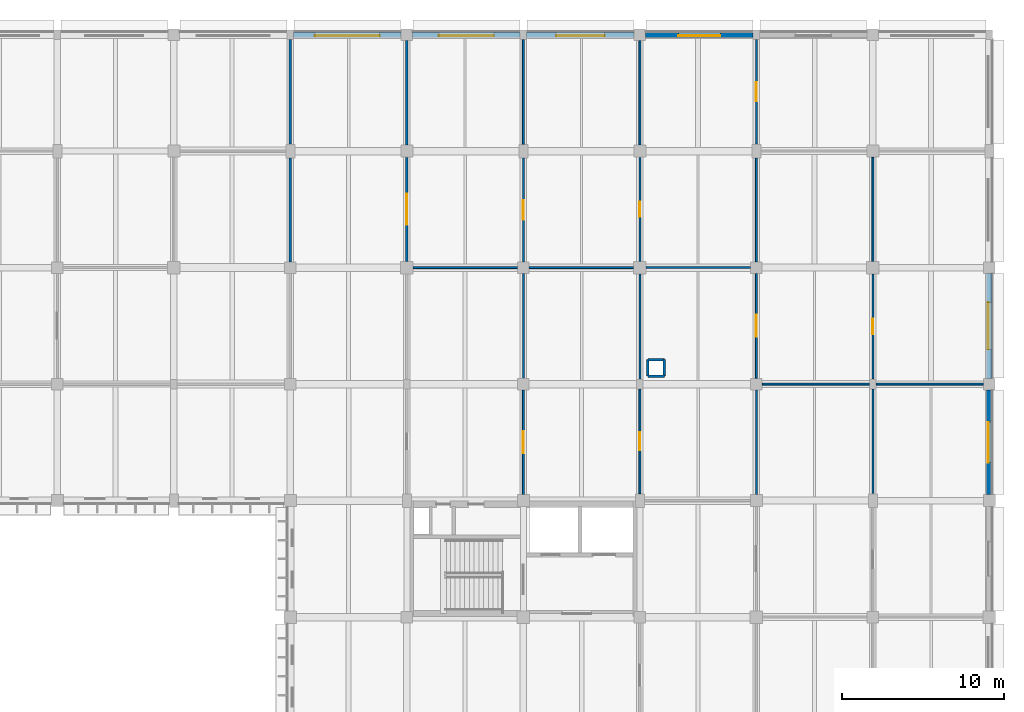
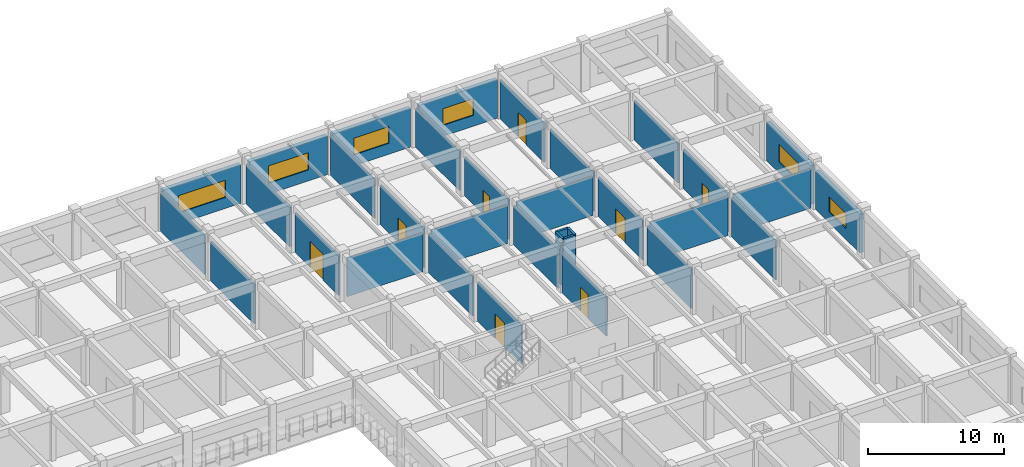
# One storey, part 52 of 61: 34 walls, 8 doors, 6 windows, 14 openings.
"""IFC4 building model written with IfcOpenShell, lengths in metres."""

from ifc_helpers import new_model, si_unit, direction, frame, frame_2d, origin, place, context, subcontext, project, spatial, rectangle, extrude, material, layer, layer_set, type_object, element, fill, save


model = new_model("IFC4")

# Units and contexts
model_context = context("Model", 3, precision=1e-05, world=origin(), true_north=direction((0.0, 1.0)))
body_context = subcontext(model_context, "Body", "Model", "MODEL_VIEW")
ifc_project = project(units=[si_unit("LENGTHUNIT", "METRE"), si_unit("AREAUNIT", "SQUARE_METRE"), si_unit("VOLUMEUNIT", "CUBIC_METRE"), si_unit("PLANEANGLEUNIT", "RADIAN"), si_unit("MASSUNIT", "GRAM", prefix="KILO")], contexts=[model_context])

# Site, building, storey
site_placement = place(None, origin())
site = spatial("IfcSite", under=ifc_project, at=site_placement, CompositionType="ELEMENT")
building_placement = place(site_placement, origin())
building = spatial("IfcBuilding", under=site, at=building_placement, Name="Thalmaran Polytechnic", CompositionType="ELEMENT")
storey_placement = place(building_placement, frame((0.0, 0.0, 9.89990234375)))
storey = spatial("IfcBuildingStorey", under=building, at=storey_placement, Name="L02", CompositionType="ELEMENT", Elevation=9.89990234375)

# Wall, opening, window
ifc_material_1 = material(Name="Precast concrete C40/50", Category="concrete")
ifc_layer_1 = layer(ifc_material_1, 0.330078125, Name="Precast concrete C40/50")
ifc_layer_set_1 = layer_set([ifc_layer_1], Name="Precast concrete C40/50")
wall_type_1 = type_object("IfcWallType", Name="WL-EW02", PredefinedType="STANDARD", material=ifc_layer_set_1)
wall_1_placement = place(storey_placement, frame((129.800048828125, 122.39990234375, 0.0), z_axis=(0.0, 0.0, 1.0), x_axis=(1.0, 0.0, 0.0)))
wall_1 = element("IfcWall", 1, at=wall_1_placement, inside=storey, type_object=wall_type_1, Name="Exterior Precast Facade Wall L02-046", PredefinedType="STANDARD", context=body_context, shape_type="SweptSolid", body=[
    extrude(rectangle(XDim=6.639892578125, YDim=0.330078125, at=frame_2d((3.31982421875, 0.0))), origin(), (0.0, 0.0, 1.0), 3.47021484375),
])
opening_1_placement = place(wall_1_placement, frame((1.320068359375, 0.0, 0.97998046875)))
opening_1 = element("IfcOpeningElement", 2, at=opening_1_placement, cuts=wall_1, Name="Opening VW02", PredefinedType="OPENING", context=body_context, shape_type="SweptSolid", body=[
    extrude(rectangle(XDim=4.0, YDim=1.550048828125, at=frame_2d((2.0, 0.77490234375))), frame((0.0, 0.175048828125, 0.0), z_axis=(0.0, -1.0, 0.0), x_axis=(1.0, 0.0, 0.0)), (0.0, 0.0, 1.0), 0.35009765625),
])
ifc_material_2 = material(Name="Thermally broken aluminium and double low-E glass", Category="aluminium")
window_type_1 = type_object("IfcWindowType", Name="WN-VZ02", PartitioningType="TRIPLE_PANEL_HORIZONTAL", PredefinedType="WINDOW", material=ifc_material_2)
window_1_placement = place(opening_1_placement, origin())
window_1 = element("IfcWindow", 3, at=window_1_placement, inside=storey, type_object=window_type_1, Name="Streamline Ribbon Window W-0246", OverallHeight=1.550048828125, OverallWidth=4.0, PartitioningType="SINGLE_PANEL", PredefinedType="WINDOW", context=body_context, shape_type="SweptSolid", body=[
    extrude(rectangle(XDim=4.0, YDim=1.550048828125, at=frame_2d((2.0, 0.77490234375))), frame((0.0, -0.030029296875, 0.0), z_axis=(0.0, -1.0, 0.0), x_axis=(1.0, 0.0, 0.0)), (0.0, 0.0, 1.0), 0.06005859375),
])
fill(opening_1, window_1)

wall_2_placement = place(storey_placement, frame((137.159912109375, 122.39990234375, 0.0), z_axis=(0.0, 0.0, 1.0), x_axis=(1.0, 0.0, 0.0)))
wall_2 = element("IfcWall", 4, at=wall_2_placement, inside=storey, type_object=wall_type_1, Name="Exterior Precast Facade Wall L02-047", PredefinedType="STANDARD", context=body_context, shape_type="SweptSolid", body=[
    extrude(rectangle(XDim=6.64013671875, YDim=0.330078125, at=frame_2d((3.320068359375, 0.0))), origin(), (0.0, 0.0, 1.0), 3.47021484375),
])
opening_2_placement = place(wall_2_placement, frame((1.6201171875, 0.0, 0.97998046875)))
opening_2 = element("IfcOpeningElement", 5, at=opening_2_placement, cuts=wall_2, Name="Opening VW03", PredefinedType="OPENING", context=body_context, shape_type="SweptSolid", body=[
    extrude(rectangle(XDim=3.39990234375, YDim=1.550048828125, at=frame_2d((1.699951171875, 0.77490234375))), frame((0.0, 0.175048828125, 0.0), z_axis=(0.0, -1.0, 0.0), x_axis=(1.0, 0.0, 0.0)), (0.0, 0.0, 1.0), 0.35009765625),
])
window_type_2 = type_object("IfcWindowType", Name="WN-VZ03", PartitioningType="DOUBLE_PANEL_VERTICAL", PredefinedType="WINDOW", material=ifc_material_2)
window_2_placement = place(opening_2_placement, origin())
window_2 = element("IfcWindow", 6, at=window_2_placement, inside=storey, type_object=window_type_2, Name="Streamline Ribbon Window W-0247", OverallHeight=1.550048828125, OverallWidth=3.39990234375, PartitioningType="SINGLE_PANEL", PredefinedType="WINDOW", context=body_context, shape_type="SweptSolid", body=[
    extrude(rectangle(XDim=3.39990234375, YDim=1.550048828125, at=frame_2d((1.699951171875, 0.77490234375))), frame((0.0, -0.030029296875, 0.0), z_axis=(0.0, -1.0, 0.0), x_axis=(1.0, 0.0, 0.0)), (0.0, 0.0, 1.0), 0.06005859375),
])
fill(opening_2, window_2)

wall_3_placement = place(storey_placement, frame((144.199951171875, 122.39990234375, 0.0), z_axis=(0.0, 0.0, 1.0), x_axis=(1.0, 0.0, 0.0)))
wall_3 = element("IfcWall", 7, at=wall_3_placement, inside=storey, type_object=wall_type_1, Name="Exterior Precast Facade Wall L02-048", PredefinedType="STANDARD", context=body_context, shape_type="SweptSolid", body=[
    extrude(rectangle(XDim=6.64013671875, YDim=0.330078125, at=frame_2d((3.320068359375, 0.0))), origin(), (0.0, 0.0, 1.0), 3.47021484375),
])
opening_3_placement = place(wall_3_placement, frame((1.820068359375, 0.0, 0.97998046875)))
opening_3 = element("IfcOpeningElement", 8, at=opening_3_placement, cuts=wall_3, Name="Opening VW04", PredefinedType="OPENING", context=body_context, shape_type="SweptSolid", body=[
    extrude(rectangle(XDim=3.0, YDim=1.5, at=frame_2d((1.5, 0.75))), frame((0.0, 0.175048828125, 0.0), z_axis=(0.0, -1.0, 0.0), x_axis=(1.0, 0.0, 0.0)), (0.0, 0.0, 1.0), 0.35009765625),
])
window_type_3 = type_object("IfcWindowType", Name="WN-VZ04", PartitioningType="DOUBLE_PANEL_VERTICAL", PredefinedType="WINDOW", material=ifc_material_2)
window_3_placement = place(opening_3_placement, origin())
window_3 = element("IfcWindow", 9, at=window_3_placement, inside=storey, type_object=window_type_3, Name="Streamline Ribbon Window W-0248", OverallHeight=1.5, OverallWidth=3.0, PartitioningType="SINGLE_PANEL", PredefinedType="WINDOW", context=body_context, shape_type="SweptSolid", body=[
    extrude(rectangle(XDim=3.0, YDim=1.5, at=frame_2d((1.5, 0.75))), frame((0.0, -0.030029296875, 0.0), z_axis=(0.0, -1.0, 0.0), x_axis=(1.0, 0.0, 0.0)), (0.0, 0.0, 1.0), 0.06005859375),
])
fill(opening_3, window_3)

wall_4_placement = place(storey_placement, frame((151.56005859375, 122.39990234375, 0.0), z_axis=(0.0, 0.0, 1.0), x_axis=(1.0, 0.0, 0.0)))
wall_4 = element("IfcWall", 10, at=wall_4_placement, inside=storey, type_object=wall_type_1, Name="Exterior Precast Facade Wall L02-049", PredefinedType="STANDARD", context=body_context, shape_type="SweptSolid", body=[
    extrude(rectangle(XDim=6.639892578125, YDim=0.330078125, at=frame_2d((3.31982421875, 0.0))), origin(), (0.0, 0.0, 1.0), 3.47021484375),
])
opening_4_placement = place(wall_4_placement, frame((2.02001953125, 0.0, 0.97998046875)))
opening_4 = element("IfcOpeningElement", 11, at=opening_4_placement, cuts=wall_4, Name="Opening VW05", PredefinedType="OPENING", context=body_context, shape_type="SweptSolid", body=[
    extrude(rectangle(XDim=2.60009765625, YDim=1.5, at=frame_2d((1.300048828125, 0.75))), frame((0.0, 0.175048828125, 0.0), z_axis=(0.0, -1.0, 0.0), x_axis=(1.0, 0.0, 0.0)), (0.0, 0.0, 1.0), 0.35009765625),
])
window_type_4 = type_object("IfcWindowType", Name="WN-VZ05", PartitioningType="DOUBLE_PANEL_VERTICAL", PredefinedType="WINDOW", material=ifc_material_2)
window_4_placement = place(opening_4_placement, origin())
window_4 = element("IfcWindow", 12, at=window_4_placement, inside=storey, type_object=window_type_4, Name="Streamline Ribbon Window W-0249", OverallHeight=1.5, OverallWidth=2.60009765625, PartitioningType="SINGLE_PANEL", PredefinedType="WINDOW", context=body_context, shape_type="SweptSolid", body=[
    extrude(rectangle(XDim=2.60009765625, YDim=1.5, at=frame_2d((1.300048828125, 0.75))), frame((0.0, -0.030029296875, 0.0), z_axis=(0.0, -1.0, 0.0), x_axis=(1.0, 0.0, 0.0)), (0.0, 0.0, 1.0), 0.06005859375),
])
fill(opening_4, window_4)

wall_5_placement = place(storey_placement, frame((172.800048828125, 107.64990234375, 0.0), z_axis=(0.0, 0.0, 1.0), x_axis=(0.0, -1.0, 0.0)))
wall_5 = element("IfcWall", 13, at=wall_5_placement, inside=storey, type_object=wall_type_1, Name="Exterior Precast Facade Wall L02-054", PredefinedType="STANDARD", context=body_context, shape_type="SweptSolid", body=[
    extrude(rectangle(XDim=6.489990234375, YDim=0.330078125, at=frame_2d((3.2451171875, 0.0))), origin(), (0.0, 0.0, 1.0), 3.47021484375),
])
opening_5_placement = place(wall_5_placement, frame((1.794921875, 0.0, 0.97998046875)))
opening_5 = element("IfcOpeningElement", 14, at=opening_5_placement, cuts=wall_5, Name="Opening VW18", PredefinedType="OPENING", context=body_context, shape_type="SweptSolid", body=[
    extrude(rectangle(XDim=2.89990234375, YDim=1.60009765625, at=frame_2d((1.449951171875, 0.800048828125))), frame((0.0, 0.175048828125, 0.0), z_axis=(0.0, -1.0, 0.0), x_axis=(1.0, 0.0, 0.0)), (0.0, 0.0, 1.0), 0.35009765625),
])
window_type_5 = type_object("IfcWindowType", Name="WN-VZ18", PartitioningType="DOUBLE_PANEL_VERTICAL", PredefinedType="WINDOW", material=ifc_material_2)
window_5_placement = place(opening_5_placement, origin())
window_5 = element("IfcWindow", 15, at=window_5_placement, inside=storey, type_object=window_type_5, Name="Streamline Ribbon Window W-0254", OverallHeight=1.60009765625, OverallWidth=2.89990234375, PartitioningType="SINGLE_PANEL", PredefinedType="WINDOW", context=body_context, shape_type="SweptSolid", body=[
    extrude(rectangle(XDim=2.89990234375, YDim=1.60009765625, at=frame_2d((1.449951171875, 0.800048828125))), frame((0.0, -0.030029296875, 0.0), z_axis=(0.0, -1.0, 0.0), x_axis=(1.0, 0.0, 0.0)), (0.0, 0.0, 1.0), 0.06005859375),
])
fill(opening_5, window_5)

wall_6_placement = place(storey_placement, frame((172.800048828125, 100.43994140625, 0.0), z_axis=(0.0, 0.0, 1.0), x_axis=(0.0, -1.0, 0.0)))
wall_6 = element("IfcWall", 16, at=wall_6_placement, inside=storey, type_object=wall_type_1, Name="Exterior Precast Facade Wall L02-055", PredefinedType="STANDARD", context=body_context, shape_type="SweptSolid", body=[
    extrude(rectangle(XDim=6.46484375, YDim=0.330078125, at=frame_2d((3.232421875, 0.0))), origin(), (0.0, 0.0, 1.0), 3.47021484375),
])
opening_6_placement = place(wall_6_placement, frame((1.982421875, 0.0, 0.97998046875)))
opening_6 = element("IfcOpeningElement", 17, at=opening_6_placement, cuts=wall_6, Name="Opening VW19", PredefinedType="OPENING", context=body_context, shape_type="SweptSolid", body=[
    extrude(rectangle(XDim=2.5, YDim=1.35009765625, at=frame_2d((1.25, 0.675048828125))), frame((0.0, 0.175048828125, 0.0), z_axis=(0.0, -1.0, 0.0), x_axis=(1.0, 0.0, 0.0)), (0.0, 0.0, 1.0), 0.35009765625),
])
window_type_6 = type_object("IfcWindowType", Name="WN-VZ19", PartitioningType="DOUBLE_PANEL_VERTICAL", PredefinedType="WINDOW", material=ifc_material_2)
window_6_placement = place(opening_6_placement, origin())
window_6 = element("IfcWindow", 18, at=window_6_placement, inside=storey, type_object=window_type_6, Name="Streamline Ribbon Window W-0255", OverallHeight=1.35009765625, OverallWidth=2.5, PartitioningType="SINGLE_PANEL", PredefinedType="WINDOW", context=body_context, shape_type="SweptSolid", body=[
    extrude(rectangle(XDim=2.5, YDim=1.35009765625, at=frame_2d((1.25, 0.675048828125))), frame((0.0, -0.030029296875, 0.0), z_axis=(0.0, -1.0, 0.0), x_axis=(1.0, 0.0, 0.0)), (0.0, 0.0, 1.0), 0.06005859375),
])
fill(opening_6, window_6)

# Walls
ifc_material_3 = material(Name="Autoclaved aerated masonry", Category="masonry")
ifc_layer_2 = layer(ifc_material_3, 0.179931640625, Name="Autoclaved aerated masonry")
ifc_layer_set_2 = layer_set([ifc_layer_2], Name="Autoclaved aerated masonry")
wall_type_2 = type_object("IfcWallType", Name="WL-IW04", PredefinedType="PARTITIONING", material=ifc_layer_set_2)
for number, where, z_axis, x_axis, name in (
    (19, (151.68994140625, 101.2900390625, 0.0), (0.0, 0.0, 1.0), (1.0, 0.0, 0.0), "Fume Exhaust Riser Shaft Wall L02 (21,14)-S"),
    (20, (152.7099609375, 101.2900390625, 0.0), (0.0, 0.0, 1.0), (0.0, 1.0, 0.0), "Fume Exhaust Riser Shaft Wall L02 (21,14)-E"),
    (21, (152.7099609375, 102.31005859375, 0.0), (0.0, 0.0, 1.0), (-1.0, 0.0, 0.0), "Fume Exhaust Riser Shaft Wall L02 (21,14)-N"),
    (22, (151.68994140625, 102.31005859375, 0.0), (0.0, 0.0, 1.0), (0.0, -1.0, 0.0), "Fume Exhaust Riser Shaft Wall L02 (21,14)-W"),
):
    element("IfcWall", number, at=place(storey_placement, frame(where, z_axis=z_axis, x_axis=x_axis)), inside=storey, type_object=wall_type_2, Name=name, PredefinedType="PARTITIONING", context=body_context, shape_type="SweptSolid", body=[
        extrude(rectangle(XDim=1.02001953125, YDim=0.179931640625, at=frame_2d((0.510009765625, 0.0))), origin(), (0.0, 0.0, 1.0), 4.22509765625),
    ])
ifc_material_4 = material(Name="Gypsum acoustic partition")
ifc_layer_3 = layer(ifc_material_4, 0.14501953125, Name="Gypsum acoustic partition")
ifc_layer_set_3 = layer_set([ifc_layer_3], Name="Gypsum acoustic partition")
wall_type_3 = type_object("IfcWallType", Name="WL-IW06", PredefinedType="PARTITIONING", material=ifc_layer_set_3)
wall_7_placement = place(storey_placement, frame((129.60009765625, 108.35498046875, 0.0), z_axis=(0.0, 0.0, 1.0), x_axis=(0.0, 1.0, 0.0)))
element("IfcWall", 23, at=wall_7_placement, inside=storey, type_object=wall_type_3, Name="Interior Partition IW06 L02-110", PredefinedType="PARTITIONING", context=body_context, shape_type="SweptSolid", body=[
    extrude(rectangle(XDim=6.4150390625, YDim=0.14501953125, at=frame_2d((3.20751953125, 0.0))), origin(), (0.0, 0.0, 1.0), 3.525146484375),
])
wall_8_placement = place(storey_placement, frame((129.60009765625, 115.6298828125, 0.0), z_axis=(0.0, 0.0, 1.0), x_axis=(0.0, 1.0, 0.0)))
element("IfcWall", 24, at=wall_8_placement, inside=storey, type_object=wall_type_3, Name="Interior Partition IW06 L02-112", PredefinedType="PARTITIONING", context=body_context, shape_type="SweptSolid", body=[
    extrude(rectangle(XDim=6.465087890625, YDim=0.14501953125, at=frame_2d((3.232421875, 0.0))), origin(), (0.0, 0.0, 1.0), 3.52001953125),
])

# Wall, opening, door
wall_9_placement = place(storey_placement, frame((136.800048828125, 108.39501953125, 0.0), z_axis=(0.0, 0.0, 1.0), x_axis=(0.0, 1.0, 0.0)))
wall_9 = element("IfcWall", 25, at=wall_9_placement, inside=storey, type_object=wall_type_3, Name="Interior Partition IW06 L02-117", PredefinedType="PARTITIONING", context=body_context, shape_type="SweptSolid", body=[
    extrude(rectangle(XDim=6.425048828125, YDim=0.14501953125, at=frame_2d((3.21240234375, 0.0))), origin(), (0.0, 0.0, 1.0), 3.53515625),
])
opening_7_placement = place(wall_9_placement, frame((2.25244140625, 0.0, 0.0)))
opening_7 = element("IfcOpeningElement", 26, at=opening_7_placement, cuts=wall_9, Name="Opening D-L02-035-5-03-1", PredefinedType="OPENING", context=body_context, shape_type="SweptSolid", body=[
    extrude(rectangle(XDim=1.919921875, YDim=2.35009765625, at=frame_2d((0.9599609375, 1.175048828125))), frame((0.0, 0.08251953125, 0.0), z_axis=(0.0, -1.0, 0.0), x_axis=(1.0, 0.0, 0.0)), (0.0, 0.0, 1.0), 0.1650390625),
])
ifc_material_5 = material(Name="Acoustic hardwood and vision glass", Category="wood")
door_type_1 = type_object("IfcDoorType", Name="DR-ZD01", OperationType="NOTDEFINED", PredefinedType="DOOR", material=ifc_material_5)
door_1_placement = place(opening_7_placement, origin())
door_1 = element("IfcDoor", 27, at=door_1_placement, inside=storey, type_object=door_type_1, Name="Process Engineering Laboratory L02-03 Door 1", OperationType="SINGLE_SWING_RIGHT", OverallHeight=2.35009765625, OverallWidth=1.919921875, PredefinedType="DOOR", context=body_context, shape_type="SweptSolid", body=[
    extrude(rectangle(XDim=1.919921875, YDim=2.35009765625, at=frame_2d((0.9599609375, 1.175048828125))), frame((0.0, 0.02490234375, 0.0), z_axis=(0.0, -1.0, 0.0), x_axis=(1.0, 0.0, 0.0)), (0.0, 0.0, 1.0), 0.050048828125),
])
fill(opening_7, door_1)

# Walls
wall_10_placement = place(storey_placement, frame((136.800048828125, 115.580078125, 0.0), z_axis=(0.0, 0.0, 1.0), x_axis=(0.0, 1.0, 0.0)))
element("IfcWall", 28, at=wall_10_placement, inside=storey, type_object=wall_type_3, Name="Interior Partition IW06 L02-118", PredefinedType="PARTITIONING", context=body_context, shape_type="SweptSolid", body=[
    extrude(rectangle(XDim=6.454833984375, YDim=0.14501953125, at=frame_2d((3.2275390625, 0.0))), origin(), (0.0, 0.0, 1.0), 3.530029296875),
])
ifc_layer_4 = layer(ifc_material_4, 0.1298828125, Name="Gypsum acoustic partition")
ifc_layer_set_4 = layer_set([ifc_layer_4], Name="Gypsum acoustic partition")
wall_type_4 = type_object("IfcWallType", Name="WL-IW07", PredefinedType="PARTITIONING", material=ifc_layer_set_4)
wall_11_placement = place(storey_placement, frame((144.0, 101.1650390625, 0.0), z_axis=(0.0, 0.0, 1.0), x_axis=(0.0, 1.0, 0.0)))
element("IfcWall", 29, at=wall_11_placement, inside=storey, type_object=wall_type_4, Name="Interior Partition IW07 L02-122", PredefinedType="PARTITIONING", context=body_context, shape_type="SweptSolid", body=[
    extrude(rectangle(XDim=6.47998046875, YDim=0.1298828125, at=frame_2d((3.239990234375, 0.0))), origin(), (0.0, 0.0, 1.0), 3.5400390625),
])

# Wall, opening, door
wall_12_placement = place(storey_placement, frame((144.0, 108.35498046875, 0.0), z_axis=(0.0, 0.0, 1.0), x_axis=(0.0, 1.0, 0.0)))
wall_12 = element("IfcWall", 30, at=wall_12_placement, inside=storey, type_object=wall_type_4, Name="Interior Partition IW07 L02-124", PredefinedType="PARTITIONING", context=body_context, shape_type="SweptSolid", body=[
    extrude(rectangle(XDim=6.4150390625, YDim=0.1298828125, at=frame_2d((3.20751953125, 0.0))), origin(), (0.0, 0.0, 1.0), 3.53515625),
])
opening_8_placement = place(wall_12_placement, frame((2.617431640625, 0.0, 0.0)))
opening_8 = element("IfcOpeningElement", 31, at=opening_8_placement, cuts=wall_12, Name="Opening D-L02-039-5-07-1", PredefinedType="OPENING", context=body_context, shape_type="SweptSolid", body=[
    extrude(rectangle(XDim=1.179931640625, YDim=2.179931640625, at=frame_2d((0.58984375, 1.08984375))), frame((0.0, 0.074951171875, 0.0), z_axis=(0.0, -1.0, 0.0), x_axis=(1.0, 0.0, 0.0)), (0.0, 0.0, 1.0), 0.14990234375),
])
ifc_material_6 = material(Name="Acoustic hardwood", Category="wood")
door_type_2 = type_object("IfcDoorType", Name="DR-ZD05", OperationType="NOTDEFINED", PredefinedType="DOOR", material=ifc_material_6)
door_2_placement = place(opening_8_placement, origin())
door_2 = element("IfcDoor", 32, at=door_2_placement, inside=storey, type_object=door_type_2, Name="Product Design Studio L02-07 Door 1", OperationType="SINGLE_SWING_RIGHT", OverallHeight=2.179931640625, OverallWidth=1.179931640625, PredefinedType="DOOR", context=body_context, shape_type="SweptSolid", body=[
    extrude(rectangle(XDim=1.179931640625, YDim=2.179931640625, at=frame_2d((0.58984375, 1.08984375))), frame((0.0, 0.02490234375, 0.0), z_axis=(0.0, -1.0, 0.0), x_axis=(1.0, 0.0, 0.0)), (0.0, 0.0, 1.0), 0.050048828125),
])
fill(opening_8, door_2)

# Wall
wall_13_placement = place(storey_placement, frame((151.199951171875, 101.10498046875, 0.0), z_axis=(0.0, 0.0, 1.0), x_axis=(0.0, 1.0, 0.0)))
element("IfcWall", 33, at=wall_13_placement, inside=storey, type_object=wall_type_4, Name="Interior Partition IW07 L02-132", PredefinedType="PARTITIONING", context=body_context, shape_type="SweptSolid", body=[
    extrude(rectangle(XDim=6.5, YDim=0.1298828125, at=frame_2d((3.25, 0.0))), origin(), (0.0, 0.0, 1.0), 3.5400390625),
])

# Wall, opening, door
wall_14_placement = place(storey_placement, frame((151.199951171875, 108.39501953125, 0.0), z_axis=(0.0, 0.0, 1.0), x_axis=(0.0, 1.0, 0.0)))
wall_14 = element("IfcWall", 34, at=wall_14_placement, inside=storey, type_object=wall_type_4, Name="Interior Partition IW07 L02-134", PredefinedType="PARTITIONING", context=body_context, shape_type="SweptSolid", body=[
    extrude(rectangle(XDim=6.425048828125, YDim=0.1298828125, at=frame_2d((3.21240234375, 0.0))), origin(), (0.0, 0.0, 1.0), 3.53515625),
])
opening_9_placement = place(wall_14_placement, frame((2.737548828125, 0.0, 0.0)))
opening_9 = element("IfcOpeningElement", 35, at=opening_9_placement, cuts=wall_14, Name="Opening D-L02-043-5-11-1", PredefinedType="OPENING", context=body_context, shape_type="SweptSolid", body=[
    extrude(rectangle(XDim=0.949951171875, YDim=2.14990234375, at=frame_2d((0.47509765625, 1.074951171875))), frame((0.0, 0.074951171875, 0.0), z_axis=(0.0, -1.0, 0.0), x_axis=(1.0, 0.0, 0.0)), (0.0, 0.0, 1.0), 0.14990234375),
])
ifc_material_7 = material(Name="Powder-coated fire-rated steel", Category="steel")
door_type_3 = type_object("IfcDoorType", Name="DR-FD08", OperationType="NOTDEFINED", PredefinedType="DOOR", material=ifc_material_7)
door_3_placement = place(opening_9_placement, origin())
door_3 = element("IfcDoor", 36, at=door_3_placement, inside=storey, type_object=door_type_3, Name="Marine Systems Laboratory L02-11 Door 1", OperationType="SINGLE_SWING_RIGHT", OverallHeight=2.14990234375, OverallWidth=0.949951171875, PredefinedType="DOOR", context=body_context, shape_type="SweptSolid", body=[
    extrude(rectangle(XDim=0.949951171875, YDim=2.14990234375, at=frame_2d((0.47509765625, 1.074951171875))), frame((0.0, 0.02490234375, 0.0), z_axis=(0.0, -1.0, 0.0), x_axis=(1.0, 0.0, 0.0)), (0.0, 0.0, 1.0), 0.050048828125),
])
fill(opening_9, door_3)

# Walls
wall_15_placement = place(storey_placement, frame((158.39990234375, 93.97998046875, 0.0), z_axis=(0.0, 0.0, 1.0), x_axis=(0.0, 1.0, 0.0)))
element("IfcWall", 37, at=wall_15_placement, inside=storey, type_object=wall_type_4, Name="Interior Partition IW07 L02-144", PredefinedType="PARTITIONING", context=body_context, shape_type="SweptSolid", body=[
    extrude(rectangle(XDim=6.455078125, YDim=0.1298828125, at=frame_2d((3.2275390625, 0.0))), origin(), (0.0, 0.0, 1.0), 3.5400390625),
])
wall_16_placement = place(storey_placement, frame((151.594970703125, 108.0, 0.0), z_axis=(0.0, 0.0, 1.0), x_axis=(1.0, 0.0, 0.0)))
element("IfcWall", 38, at=wall_16_placement, inside=storey, type_object=wall_type_4, Name="Interior Partition IW07 L02-146", PredefinedType="PARTITIONING", context=body_context, shape_type="SweptSolid", body=[
    extrude(rectangle(XDim=6.449951171875, YDim=0.1298828125, at=frame_2d((3.22509765625, 0.0))), origin(), (0.0, 0.0, 1.0), 3.5),
])

# Wall, opening, door
wall_17_placement = place(storey_placement, frame((158.39990234375, 115.6298828125, 0.0), z_axis=(0.0, 0.0, 1.0), x_axis=(0.0, 1.0, 0.0)))
wall_17 = element("IfcWall", 39, at=wall_17_placement, inside=storey, type_object=wall_type_4, Name="Interior Partition IW07 L02-148", PredefinedType="PARTITIONING", context=body_context, shape_type="SweptSolid", body=[
    extrude(rectangle(XDim=6.465087890625, YDim=0.1298828125, at=frame_2d((3.232421875, 0.0))), origin(), (0.0, 0.0, 1.0), 3.530029296875),
])
opening_10_placement = place(wall_17_placement, frame((2.642578125, 0.0, 0.0)))
opening_10 = element("IfcOpeningElement", 40, at=opening_10_placement, cuts=wall_17, Name="Opening D-L02-048-5-16-1", PredefinedType="OPENING", context=body_context, shape_type="SweptSolid", body=[
    extrude(rectangle(XDim=1.179931640625, YDim=2.179931640625, at=frame_2d((0.58984375, 1.08984375))), frame((0.0, 0.074951171875, 0.0), z_axis=(0.0, -1.0, 0.0), x_axis=(1.0, 0.0, 0.0)), (0.0, 0.0, 1.0), 0.14990234375),
])
door_4_placement = place(opening_10_placement, origin())
door_4 = element("IfcDoor", 41, at=door_4_placement, inside=storey, type_object=door_type_2, Name="Robotics and Automation Laboratory L02-16 Door 1", OperationType="SINGLE_SWING_LEFT", OverallHeight=2.179931640625, OverallWidth=1.179931640625, PredefinedType="DOOR", context=body_context, shape_type="SweptSolid", body=[
    extrude(rectangle(XDim=1.179931640625, YDim=2.179931640625, at=frame_2d((0.58984375, 1.08984375))), frame((0.0, 0.02490234375, 0.0), z_axis=(0.0, -1.0, 0.0), x_axis=(1.0, 0.0, 0.0)), (0.0, 0.0, 1.0), 0.050048828125),
])
fill(opening_10, door_4)

# Wall
wall_18_placement = place(storey_placement, frame((165.60009765625, 94.030029296875, 0.0), z_axis=(0.0, 0.0, 1.0), x_axis=(0.0, 1.0, 0.0)))
element("IfcWall", 42, at=wall_18_placement, inside=storey, type_object=wall_type_4, Name="Interior Partition IW07 L02-156", PredefinedType="PARTITIONING", context=body_context, shape_type="SweptSolid", body=[
    extrude(rectangle(XDim=6.465087890625, YDim=0.1298828125, at=frame_2d((3.232421875, 0.0))), origin(), (0.0, 0.0, 1.0), 3.5400390625),
])

# Wall, opening, door
wall_19_placement = place(storey_placement, frame((165.60009765625, 101.10498046875, 0.0), z_axis=(0.0, 0.0, 1.0), x_axis=(0.0, 1.0, 0.0)))
wall_19 = element("IfcWall", 43, at=wall_19_placement, inside=storey, type_object=wall_type_4, Name="Interior Partition IW07 L02-158", PredefinedType="PARTITIONING", context=body_context, shape_type="SweptSolid", body=[
    extrude(rectangle(XDim=6.5, YDim=0.1298828125, at=frame_2d((3.25, 0.0))), origin(), (0.0, 0.0, 1.0), 3.5400390625),
])
opening_11_placement = place(wall_19_placement, frame((2.77490234375, 0.0, 0.0)))
opening_11 = element("IfcOpeningElement", 44, at=opening_11_placement, cuts=wall_19, Name="Opening D-L02-052-5-20-1", PredefinedType="OPENING", context=body_context, shape_type="SweptSolid", body=[
    extrude(rectangle(XDim=0.949951171875, YDim=2.14990234375, at=frame_2d((0.47509765625, 1.074951171875))), frame((0.0, 0.074951171875, 0.0), z_axis=(0.0, -1.0, 0.0), x_axis=(1.0, 0.0, 0.0)), (0.0, 0.0, 1.0), 0.14990234375),
])
door_5_placement = place(opening_11_placement, origin())
door_5 = element("IfcDoor", 45, at=door_5_placement, inside=storey, type_object=door_type_3, Name="Seminar Room L02-20 Door 1", OperationType="SINGLE_SWING_LEFT", OverallHeight=2.14990234375, OverallWidth=0.949951171875, PredefinedType="DOOR", context=body_context, shape_type="SweptSolid", body=[
    extrude(rectangle(XDim=0.949951171875, YDim=2.14990234375, at=frame_2d((0.47509765625, 1.074951171875))), frame((0.0, 0.02490234375, 0.0), z_axis=(0.0, -1.0, 0.0), x_axis=(1.0, 0.0, 0.0)), (0.0, 0.0, 1.0), 0.050048828125),
])
fill(opening_11, door_5)

ifc_layer_5 = layer(ifc_material_4, 0.114990234375, Name="Gypsum acoustic partition")
ifc_layer_set_5 = layer_set([ifc_layer_5], Name="Gypsum acoustic partition")
wall_type_5 = type_object("IfcWallType", Name="WL-IW08", PredefinedType="PARTITIONING", material=ifc_layer_set_5)
wall_20_placement = place(storey_placement, frame((144.0, 93.97998046875, 0.0), z_axis=(0.0, 0.0, 1.0), x_axis=(0.0, 1.0, 0.0)))
wall_20 = element("IfcWall", 46, at=wall_20_placement, inside=storey, type_object=wall_type_5, Name="Interior Partition IW08 L02-121", PredefinedType="PARTITIONING", context=body_context, shape_type="SweptSolid", body=[
    extrude(rectangle(XDim=6.455078125, YDim=0.114990234375, at=frame_2d((3.2275390625, 0.0))), origin(), (0.0, 0.0, 1.0), 3.5400390625),
])
opening_12_placement = place(wall_20_placement, frame((2.53759765625, 0.0, 0.0)))
opening_12 = element("IfcOpeningElement", 47, at=opening_12_placement, cuts=wall_20, Name="Opening D-L02-038-5-06-1", PredefinedType="OPENING", context=body_context, shape_type="SweptSolid", body=[
    extrude(rectangle(XDim=1.3798828125, YDim=2.219970703125, at=frame_2d((0.68994140625, 1.10986328125))), frame((0.0, 0.0673828125, 0.0), z_axis=(0.0, -1.0, 0.0), x_axis=(1.0, 0.0, 0.0)), (0.0, 0.0, 1.0), 0.135009765625),
])
door_type_4 = type_object("IfcDoorType", Name="DR-ZD04", OperationType="NOTDEFINED", PredefinedType="DOOR", material=ifc_material_5)
door_6_placement = place(opening_12_placement, origin())
door_6 = element("IfcDoor", 48, at=door_6_placement, inside=storey, type_object=door_type_4, Name="Photonics and Electronics Laboratory L02-06 Door 1", OperationType="SINGLE_SWING_LEFT", OverallHeight=2.219970703125, OverallWidth=1.3798828125, PredefinedType="DOOR", context=body_context, shape_type="SweptSolid", body=[
    extrude(rectangle(XDim=1.3798828125, YDim=2.219970703125, at=frame_2d((0.68994140625, 1.10986328125))), frame((0.0, 0.02490234375, 0.0), z_axis=(0.0, -1.0, 0.0), x_axis=(1.0, 0.0, 0.0)), (0.0, 0.0, 1.0), 0.050048828125),
])
fill(opening_12, door_6)

# Walls
wall_21_placement = place(storey_placement, frame((137.195068359375, 108.0, 0.0), z_axis=(0.0, 0.0, 1.0), x_axis=(1.0, 0.0, 0.0)))
element("IfcWall", 49, at=wall_21_placement, inside=storey, type_object=wall_type_5, Name="Interior Partition IW08 L02-123", PredefinedType="PARTITIONING", context=body_context, shape_type="SweptSolid", body=[
    extrude(rectangle(XDim=6.449951171875, YDim=0.114990234375, at=frame_2d((3.22509765625, 0.0))), origin(), (0.0, 0.0, 1.0), 3.47509765625),
])
wall_22_placement = place(storey_placement, frame((144.0, 115.6298828125, 0.0), z_axis=(0.0, 0.0, 1.0), x_axis=(0.0, 1.0, 0.0)))
element("IfcWall", 50, at=wall_22_placement, inside=storey, type_object=wall_type_5, Name="Interior Partition IW08 L02-125", PredefinedType="PARTITIONING", context=body_context, shape_type="SweptSolid", body=[
    extrude(rectangle(XDim=6.465087890625, YDim=0.114990234375, at=frame_2d((3.232421875, 0.0))), origin(), (0.0, 0.0, 1.0), 3.530029296875),
])

# Wall, opening, door
wall_23_placement = place(storey_placement, frame((151.199951171875, 94.030029296875, 0.0), z_axis=(0.0, 0.0, 1.0), x_axis=(0.0, 1.0, 0.0)))
wall_23 = element("IfcWall", 51, at=wall_23_placement, inside=storey, type_object=wall_type_5, Name="Interior Partition IW08 L02-131", PredefinedType="PARTITIONING", context=body_context, shape_type="SweptSolid", body=[
    extrude(rectangle(XDim=6.465087890625, YDim=0.114990234375, at=frame_2d((3.232421875, 0.0))), origin(), (0.0, 0.0, 1.0), 3.5400390625),
])
opening_13_placement = place(wall_23_placement, frame((2.6826171875, 0.0, 0.0)))
opening_13 = element("IfcOpeningElement", 52, at=opening_13_placement, cuts=wall_23, Name="Opening D-L02-042-5-10-1", PredefinedType="OPENING", context=body_context, shape_type="SweptSolid", body=[
    extrude(rectangle(XDim=1.10009765625, YDim=2.14990234375, at=frame_2d((0.550048828125, 1.074951171875))), frame((0.0, 0.0673828125, 0.0), z_axis=(0.0, -1.0, 0.0), x_axis=(1.0, 0.0, 0.0)), (0.0, 0.0, 1.0), 0.135009765625),
])
door_type_5 = type_object("IfcDoorType", Name="DR-FD07", OperationType="NOTDEFINED", PredefinedType="DOOR", material=ifc_material_7)
door_7_placement = place(opening_13_placement, origin())
door_7 = element("IfcDoor", 53, at=door_7_placement, inside=storey, type_object=door_type_5, Name="Robotics and Automation Laboratory L02-10 Door 1", OperationType="SINGLE_SWING_LEFT", OverallHeight=2.14990234375, OverallWidth=1.10009765625, PredefinedType="DOOR", context=body_context, shape_type="SweptSolid", body=[
    extrude(rectangle(XDim=1.10009765625, YDim=2.14990234375, at=frame_2d((0.550048828125, 1.074951171875))), frame((0.0, 0.02490234375, 0.0), z_axis=(0.0, -1.0, 0.0), x_axis=(1.0, 0.0, 0.0)), (0.0, 0.0, 1.0), 0.050048828125),
])
fill(opening_13, door_7)

# Walls
wall_24_placement = place(storey_placement, frame((144.35498046875, 108.0, 0.0), z_axis=(0.0, 0.0, 1.0), x_axis=(1.0, 0.0, 0.0)))
element("IfcWall", 54, at=wall_24_placement, inside=storey, type_object=wall_type_5, Name="Interior Partition IW08 L02-133", PredefinedType="PARTITIONING", context=body_context, shape_type="SweptSolid", body=[
    extrude(rectangle(XDim=6.449951171875, YDim=0.114990234375, at=frame_2d((3.22509765625, 0.0))), origin(), (0.0, 0.0, 1.0), 3.485107421875),
])
wall_25_placement = place(storey_placement, frame((151.199951171875, 115.580078125, 0.0), z_axis=(0.0, 0.0, 1.0), x_axis=(0.0, 1.0, 0.0)))
element("IfcWall", 55, at=wall_25_placement, inside=storey, type_object=wall_type_5, Name="Interior Partition IW08 L02-135", PredefinedType="PARTITIONING", context=body_context, shape_type="SweptSolid", body=[
    extrude(rectangle(XDim=6.454833984375, YDim=0.114990234375, at=frame_2d((3.2275390625, 0.0))), origin(), (0.0, 0.0, 1.0), 3.530029296875),
])

# Wall, opening, door
wall_26_placement = place(storey_placement, frame((158.39990234375, 101.1650390625, 0.0), z_axis=(0.0, 0.0, 1.0), x_axis=(0.0, 1.0, 0.0)))
wall_26 = element("IfcWall", 56, at=wall_26_placement, inside=storey, type_object=wall_type_5, Name="Interior Partition IW08 L02-145", PredefinedType="PARTITIONING", context=body_context, shape_type="SweptSolid", body=[
    extrude(rectangle(XDim=6.47998046875, YDim=0.114990234375, at=frame_2d((3.239990234375, 0.0))), origin(), (0.0, 0.0, 1.0), 3.5400390625),
])
opening_14_placement = place(wall_26_placement, frame((2.550048828125, 0.0, 0.0)))
opening_14 = element("IfcOpeningElement", 57, at=opening_14_placement, cuts=wall_26, Name="Opening D-L02-047-5-15-1", PredefinedType="OPENING", context=body_context, shape_type="SweptSolid", body=[
    extrude(rectangle(XDim=1.3798828125, YDim=2.219970703125, at=frame_2d((0.68994140625, 1.10986328125))), frame((0.0, 0.0673828125, 0.0), z_axis=(0.0, -1.0, 0.0), x_axis=(1.0, 0.0, 0.0)), (0.0, 0.0, 1.0), 0.135009765625),
])
door_8_placement = place(opening_14_placement, origin())
door_8 = element("IfcDoor", 58, at=door_8_placement, inside=storey, type_object=door_type_4, Name="Process Engineering Laboratory L02-15 Door 1", OperationType="SINGLE_SWING_RIGHT", OverallHeight=2.219970703125, OverallWidth=1.3798828125, PredefinedType="DOOR", context=body_context, shape_type="SweptSolid", body=[
    extrude(rectangle(XDim=1.3798828125, YDim=2.219970703125, at=frame_2d((0.68994140625, 1.10986328125))), frame((0.0, 0.02490234375, 0.0), z_axis=(0.0, -1.0, 0.0), x_axis=(1.0, 0.0, 0.0)), (0.0, 0.0, 1.0), 0.050048828125),
])
fill(opening_14, door_8)

# Walls
wall_27_placement = place(storey_placement, frame((158.39990234375, 108.35498046875, 0.0), z_axis=(0.0, 0.0, 1.0), x_axis=(0.0, 1.0, 0.0)))
element("IfcWall", 59, at=wall_27_placement, inside=storey, type_object=wall_type_5, Name="Interior Partition IW08 L02-147", PredefinedType="PARTITIONING", context=body_context, shape_type="SweptSolid", body=[
    extrude(rectangle(XDim=6.4150390625, YDim=0.114990234375, at=frame_2d((3.20751953125, 0.0))), origin(), (0.0, 0.0, 1.0), 3.53515625),
])
wall_28_placement = place(storey_placement, frame((158.764892578125, 100.800048828125, 0.0), z_axis=(0.0, 0.0, 1.0), x_axis=(1.0, 0.0, 0.0)))
element("IfcWall", 60, at=wall_28_placement, inside=storey, type_object=wall_type_5, Name="Interior Partition IW08 L02-157", PredefinedType="PARTITIONING", context=body_context, shape_type="SweptSolid", body=[
    extrude(rectangle(XDim=6.630126953125, YDim=0.114990234375, at=frame_2d((3.31494140625, 0.0))), origin(), (0.0, 0.0, 1.0), 3.505126953125),
])
wall_29_placement = place(storey_placement, frame((165.60009765625, 108.39501953125, 0.0), z_axis=(0.0, 0.0, 1.0), x_axis=(0.0, 1.0, 0.0)))
element("IfcWall", 61, at=wall_29_placement, inside=storey, type_object=wall_type_5, Name="Interior Partition IW08 L02-159", PredefinedType="PARTITIONING", context=body_context, shape_type="SweptSolid", body=[
    extrude(rectangle(XDim=6.425048828125, YDim=0.114990234375, at=frame_2d((3.21240234375, 0.0))), origin(), (0.0, 0.0, 1.0), 3.53515625),
])
wall_30_placement = place(storey_placement, frame((165.804931640625, 100.800048828125, 0.0), z_axis=(0.0, 0.0, 1.0), x_axis=(1.0, 0.0, 0.0)))
element("IfcWall", 62, at=wall_30_placement, inside=storey, type_object=wall_type_5, Name="Interior Partition IW08 L02-163", PredefinedType="PARTITIONING", context=body_context, shape_type="SweptSolid", body=[
    extrude(rectangle(XDim=6.630126953125, YDim=0.114990234375, at=frame_2d((3.31494140625, 0.0))), origin(), (0.0, 0.0, 1.0), 3.525146484375),
])

save(model, "model.ifc")
